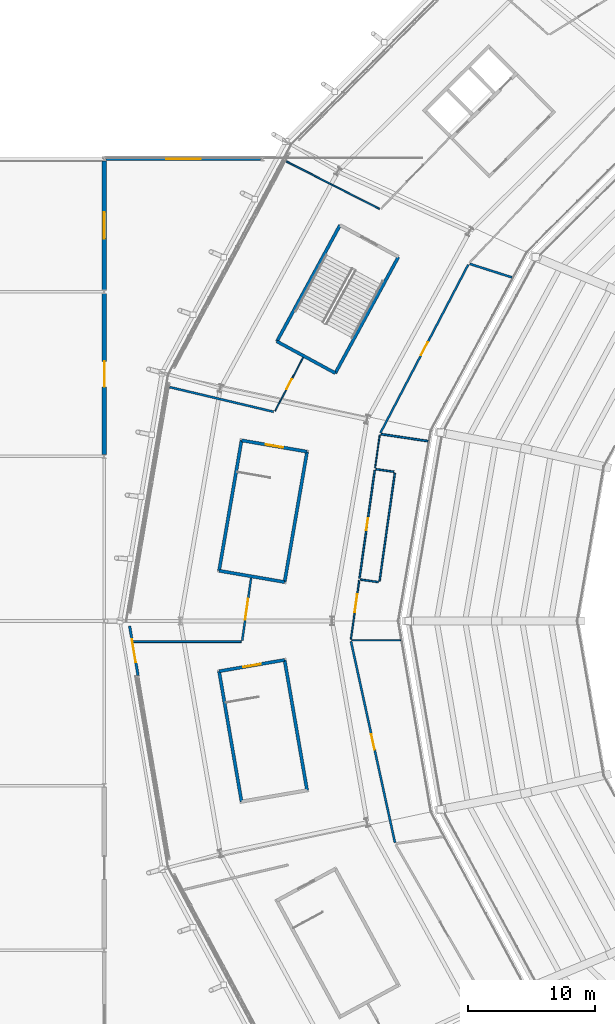
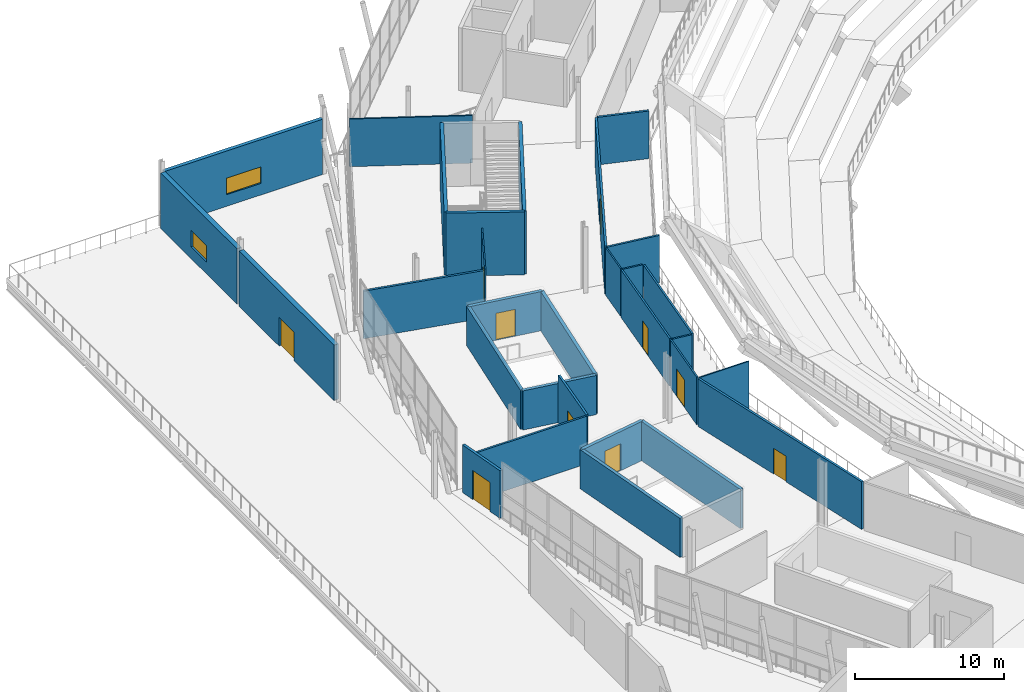
# One storey, part 97 of 126: 30 walls, 10 doors, 2 windows, 12 openings.
"""IFC4 building model written with IfcOpenShell, lengths in metres."""

from ifc_helpers import new_model, si_unit, direction, frame, frame_2d, origin, place, context, subcontext, project, spatial, rectangle, extrude, material, layer, layer_set, type_object, element, fill, save


model = new_model("IFC4")

# Units and contexts
model_context = context("Model", 3, precision=1e-05, world=origin(), true_north=direction((0.0, 1.0)))
body_context = subcontext(model_context, "Body", "Model", "MODEL_VIEW")
ifc_project = project(units=[si_unit("LENGTHUNIT", "METRE"), si_unit("AREAUNIT", "SQUARE_METRE"), si_unit("VOLUMEUNIT", "CUBIC_METRE"), si_unit("PLANEANGLEUNIT", "RADIAN"), si_unit("MASSUNIT", "GRAM", prefix="KILO")], contexts=[model_context])

# Site, building, storey
site_placement = place(None, origin())
site = spatial("IfcSite", under=ifc_project, at=site_placement, CompositionType="ELEMENT")
building_placement = place(site_placement, origin())
building = spatial("IfcBuilding", under=site, at=building_placement, Name="Zlatoyarsky Gate Stadium", CompositionType="ELEMENT")
storey_placement = place(building_placement, frame((0.0, 0.0, 20.800048828125)))
storey = spatial("IfcBuildingStorey", under=building, at=storey_placement, Name="L04", CompositionType="ELEMENT", Elevation=20.800048828125)

# Wall
ifc_material_1 = material(Name="Double-stud acoustic gypsum partition", Category="gypsum")
ifc_layer_1 = layer(ifc_material_1, 0.169921875)
ifc_layer_set_1 = layer_set([ifc_layer_1], Name="Double-stud acoustic gypsum partition")
wall_type_1 = type_object("IfcWallType", Name="ACOUSTIC BROADCAST STUDIO WALL 170", PredefinedType="PARTITIONING", material=ifc_layer_set_1)
wall_1_placement = place(storey_placement, frame((44.200927734375, 107.140869140625, 0.0), z_axis=(0.0, 0.0, 1.0), x_axis=(-0.952519736306, 0.304476849609, 0.0)))
element("IfcWall", 1, at=wall_1_placement, inside=storey, type_object=wall_type_1, Name="L04 interior partition PRT-L04-IRD-10", PredefinedType="PARTITIONING", context=body_context, shape_type="SweptSolid", body=[
    extrude(rectangle(XDim=3.49755859375, YDim=0.169921875, at=frame_2d((1.748779296875, 0.0))), origin(), (0.0, 0.0, 1.0), 3.889892578125),
])

# Wall, opening, door
wall_2_placement = place(storey_placement, frame((31.4833984375, 78.389892578125, 0.0), z_axis=(0.0, 0.0, 1.0), x_axis=(0.213413163149, -0.976962037028, 0.0)))
wall_2 = element("IfcWall", 2, at=wall_2_placement, inside=storey, type_object=wall_type_1, Name="L04 vomitory portal wall PRT-L04-ICC-12", PredefinedType="PARTITIONING", context=body_context, shape_type="SweptSolid", body=[
    extrude(rectangle(XDim=16.270751953125, YDim=0.169921875, at=frame_2d((8.13525390625, 0.0))), origin(), (0.0, 0.0, 1.0), 3.889892578125),
])
opening_1_placement = place(wall_2_placement, frame((7.515380859375, 0.0, 0.0)))
opening_1 = element("IfcOpeningElement", 3, at=opening_1_placement, cuts=wall_2, Name="Opening D-L04-530", PredefinedType="OPENING", context=body_context, shape_type="SweptSolid", body=[
    extrude(rectangle(XDim=1.239990234375, YDim=2.10009765625, at=frame_2d((0.6201171875, 1.050048828125))), frame((0.0, 0.094970703125, 0.0), z_axis=(0.0, -1.0, 0.0), x_axis=(1.0, 0.0, 0.0)), (0.0, 0.0, 1.0), 0.18994140625),
])
ifc_material_2 = material(Name="Powder-coated steel fire door", Category="steel")
door_type_1 = type_object("IfcDoorType", Name="ACOUSTIC INTERIOR DOOR 1240X2100", OperationType="NOTDEFINED", PredefinedType="DOOR", material=ifc_material_2)
door_1_placement = place(opening_1_placement, origin())
door_1 = element("IfcDoor", 4, at=door_1_placement, inside=storey, type_object=door_type_1, Name="L04 vomitory portal door D-L04-530", OperationType="SINGLE_SWING_RIGHT", OverallHeight=2.10009765625, OverallWidth=1.239990234375, PredefinedType="DOOR", context=body_context, shape_type="SweptSolid", body=[
    extrude(rectangle(XDim=1.239990234375, YDim=2.10009765625, at=frame_2d((0.6201171875, 1.050048828125))), frame((0.0, 0.02490234375, 0.0), z_axis=(0.0, -1.0, 0.0), x_axis=(1.0, 0.0, 0.0)), (0.0, 0.0, 1.0), 0.050048828125),
])
fill(opening_1, door_1)

# Wall
wall_3_placement = place(storey_placement, frame((25.367919921875, 96.52783203125, 0.0), z_axis=(0.0, 0.0, 1.0), x_axis=(-0.973029696707, 0.23067988496, 0.0)))
element("IfcWall", 5, at=wall_3_placement, inside=storey, type_object=wall_type_1, Name="L04 interior partition PRT-L04-ORD-10R", PredefinedType="PARTITIONING", context=body_context, shape_type="SweptSolid", body=[
    extrude(rectangle(XDim=8.43408203125, YDim=0.169921875, at=frame_2d((4.217041015625, 0.0))), origin(), (0.0, 0.0, 1.0), 3.889892578125),
])

# Wall, opening, door
ifc_material_3 = material(Name="Anodised aluminium acoustic operable wall", Category="aluminium")
ifc_layer_2 = layer(ifc_material_3, 0.114990234375)
ifc_layer_set_2 = layer_set([ifc_layer_2], Name="Anodised aluminium acoustic operable wall")
wall_type_2 = type_object("IfcWallType", Name="ACOUSTIC OPERABLE SUITE WALL 115", PredefinedType="MOVABLE", material=ifc_layer_set_2)
wall_4_placement = place(storey_placement, frame((32.13232421875, 83.201416015625, 0.0), z_axis=(0.0, 0.0, 1.0), x_axis=(-0.139708620923, -0.990192658648, 0.0)))
wall_4 = element("IfcWall", 6, at=wall_4_placement, inside=storey, type_object=wall_type_2, Name="L04 interior partition PRT-L04-ICC-11", PredefinedType="MOVABLE", context=body_context, shape_type="SweptSolid", body=[
    extrude(rectangle(XDim=4.690185546875, YDim=0.114990234375, at=frame_2d((2.34521484375, 0.0))), origin(), (0.0, 0.0, 1.0), 3.889892578125),
])
opening_2_placement = place(wall_4_placement, frame((1.10009765625, 0.0, 0.0)))
opening_2 = element("IfcOpeningElement", 7, at=opening_2_placement, cuts=wall_4, Name="Opening D-L04-528", PredefinedType="OPENING", context=body_context, shape_type="SweptSolid", body=[
    extrude(rectangle(XDim=1.43994140625, YDim=2.239990234375, at=frame_2d((0.719970703125, 1.1201171875))), frame((0.0, 0.0673828125, 0.0), z_axis=(0.0, -1.0, 0.0), x_axis=(1.0, 0.0, 0.0)), (0.0, 0.0, 1.0), 0.135009765625),
])
ifc_material_4 = material(Name="Solid-core oak veneer acoustic door", Category="wood")
door_type_2 = type_object("IfcDoorType", Name="ACOUSTIC INTERIOR DOOR 1440X2240", OperationType="NOTDEFINED", PredefinedType="DOOR", material=ifc_material_4)
door_2_placement = place(opening_2_placement, origin())
door_2 = element("IfcDoor", 8, at=door_2_placement, inside=storey, type_object=door_type_2, Name="L04 room door D-L04-528", OperationType="SINGLE_SWING_LEFT", OverallHeight=2.239990234375, OverallWidth=1.43994140625, PredefinedType="DOOR", context=body_context, shape_type="SweptSolid", body=[
    extrude(rectangle(XDim=1.43994140625, YDim=2.239990234375, at=frame_2d((0.719970703125, 1.1201171875))), frame((0.0, 0.02490234375, 0.0), z_axis=(0.0, -1.0, 0.0), x_axis=(1.0, 0.0, 0.0)), (0.0, 0.0, 1.0), 0.050048828125),
])
fill(opening_2, door_2)

# Wall
wall_5_placement = place(storey_placement, frame((33.72314453125, 112.552490234375, 0.0), z_axis=(0.0, 0.0, 1.0), x_axis=(-0.890584358939, 0.454818095081, 0.0)))
element("IfcWall", 9, at=wall_5_placement, inside=storey, type_object=wall_type_2, Name="L04 interior partition PRT-L04-ORD-09R", PredefinedType="MOVABLE", context=body_context, shape_type="SweptSolid", body=[
    extrude(rectangle(XDim=8.252685546875, YDim=0.114990234375, at=frame_2d((4.12646484375, 0.0))), origin(), (0.0, 0.0, 1.0), 3.889892578125),
])

# Wall, opening, door
ifc_material_5 = material(Name="Gypsum-clad mineral wool fire partition", Category="gypsum")
ifc_layer_3 = layer(ifc_material_5, 0.199951171875)
ifc_layer_set_3 = layer_set([ifc_layer_3], Name="Gypsum-clad mineral wool fire partition")
wall_type_3 = type_object("IfcWallType", Name="COMPARTMENT FIRE PARTITION WALL 200", PredefinedType="PARTITIONING", material=ifc_layer_set_3)
wall_6_placement = place(storey_placement, frame((13.998291015625, 79.6005859375, 0.0), z_axis=(0.0, 0.0, 1.0), x_axis=(0.167827395589, -0.985816395324, 0.0)))
wall_6 = element("IfcWall", 10, at=wall_6_placement, inside=storey, type_object=wall_type_3, Name="L04 interior partition PRT-PORTAL-L04-12", PredefinedType="PARTITIONING", context=body_context, shape_type="SweptSolid", body=[
    extrude(rectangle(XDim=3.959716796875, YDim=0.199951171875, at=frame_2d((1.97998046875, 0.0))), origin(), (0.0, 0.0, 1.0), 3.889892578125),
])
opening_3_placement = place(wall_6_placement, frame((1.070068359375, 0.0, 0.0)))
opening_3 = element("IfcOpeningElement", 11, at=opening_3_placement, cuts=wall_6, Name="Opening D-L04-720", PredefinedType="OPENING", context=body_context, shape_type="SweptSolid", body=[
    extrude(rectangle(XDim=1.820068359375, YDim=2.3798828125, at=frame_2d((0.91015625, 1.18994140625))), frame((0.0, 0.10986328125, 0.0), z_axis=(0.0, -1.0, 0.0), x_axis=(1.0, 0.0, 0.0)), (0.0, 0.0, 1.0), 0.219970703125),
])
door_type_3 = type_object("IfcDoorType", Name="ACOUSTIC INTERIOR DOOR 1820X2380", OperationType="NOTDEFINED", PredefinedType="DOOR", material=ifc_material_2)
door_3_placement = place(opening_3_placement, origin())
door_3 = element("IfcDoor", 12, at=door_3_placement, inside=storey, type_object=door_type_3, Name="L04 room door D-L04-720", OperationType="SINGLE_SWING_RIGHT", OverallHeight=2.3798828125, OverallWidth=1.820068359375, PredefinedType="DOOR", context=body_context, shape_type="SweptSolid", body=[
    extrude(rectangle(XDim=1.820068359375, YDim=2.3798828125, at=frame_2d((0.91015625, 1.18994140625))), frame((0.0, 0.02490234375, 0.0), z_axis=(0.0, -1.0, 0.0), x_axis=(1.0, 0.0, 0.0)), (0.0, 0.0, 1.0), 0.050048828125),
])
fill(opening_3, door_3)

# Walls
ifc_material_6 = material(Name="Metal-stud gypsum partition", Category="gypsum")
ifc_layer_4 = layer(ifc_material_6, 0.14990234375)
ifc_layer_set_4 = layer_set([ifc_layer_4], Name="Metal-stud gypsum partition")
wall_type_4 = type_object("IfcWallType", Name="CONCOURSE CORRIDOR PARTITION 150", PredefinedType="PARTITIONING", material=ifc_layer_set_4)
wall_7_placement = place(storey_placement, frame((37.566162109375, 94.209228515625, 0.0), z_axis=(0.0, 0.0, 1.0), x_axis=(-0.989218109101, 0.146449761439, 0.0)))
element("IfcWall", 13, at=wall_7_placement, inside=storey, type_object=wall_type_4, Name="L04 interior partition PRT-L04-IRD-11", PredefinedType="PARTITIONING", context=body_context, shape_type="SweptSolid", body=[
    extrude(rectangle(XDim=3.757568359375, YDim=0.14990234375, at=frame_2d((1.87890625, 0.0))), origin(), (0.0, 0.0, 1.0), 3.889892578125),
])
wall_8_placement = place(storey_placement, frame((22.7958984375, 78.3740234375, 0.0), z_axis=(0.0, 0.0, 1.0), x_axis=(-0.999999996291, -8.6130171e-05, 0.0)))
element("IfcWall", 14, at=wall_8_placement, inside=storey, type_object=wall_type_4, Name="L04 interior partition PRT-L04-ORD-11R", PredefinedType="PARTITIONING", context=body_context, shape_type="SweptSolid", body=[
    extrude(rectangle(XDim=8.503662109375, YDim=0.14990234375, at=frame_2d((4.251953125, 0.0))), origin(), (0.0, 0.0, 1.0), 3.889892578125),
])
ifc_material_7 = material(Name="Concrete C40/50", Category="concrete")
ifc_layer_5 = layer(ifc_material_7, 0.25)
ifc_layer_set_5 = layer_set([ifc_layer_5], Name="Concrete C40/50")
wall_type_5 = type_object("IfcWallType", Name="CONCRETE STAIR CORE SHEAR WALL 250", PredefinedType="SHEAR", material=ifc_layer_set_5)
wall_9_placement = place(storey_placement, frame((30.615234375, 111.268798828125, 0.0), z_axis=(0.0, 0.0, 1.0), x_axis=(-0.476876856974, -0.878970115125, 0.0)))
element("IfcWall", 15, at=wall_9_placement, inside=storey, type_object=wall_type_5, Name="ST-06 L04 stair core left shear wall", PredefinedType="SHEAR", context=body_context, shape_type="SweptSolid", body=[
    extrude(rectangle(XDim=10.4501953125, YDim=0.25, at=frame_2d((5.22509765625, 0.0))), origin(), (0.0, 0.0, 1.0), 5.139892578125),
])
wall_10_placement = place(storey_placement, frame((25.6318359375, 102.08349609375, 0.0), z_axis=(0.0, 0.0, 1.0), x_axis=(0.878961487093, -0.47689275965, 0.0)))
element("IfcWall", 16, at=wall_10_placement, inside=storey, type_object=wall_type_5, Name="ST-06 L04 stair core far shear wall", PredefinedType="SHEAR", context=body_context, shape_type="SweptSolid", body=[
    extrude(rectangle(XDim=5.25, YDim=0.25, at=frame_2d((2.625, 0.0))), origin(), (0.0, 0.0, 1.0), 5.139892578125),
])
wall_11_placement = place(storey_placement, frame((30.246337890625, 99.579833984375, 0.0), z_axis=(0.0, 0.0, 1.0), x_axis=(0.476886649814, 0.878964802042, 0.0)))
element("IfcWall", 17, at=wall_11_placement, inside=storey, type_object=wall_type_5, Name="ST-06 L04 stair core right shear wall", PredefinedType="SHEAR", context=body_context, shape_type="SweptSolid", body=[
    extrude(rectangle(XDim=10.449951171875, YDim=0.25, at=frame_2d((5.22509765625, 0.0))), origin(), (0.0, 0.0, 1.0), 5.139892578125),
])

# Wall, opening, door
wall_12_placement = place(storey_placement, frame((26.237548828125, 76.92333984375, 0.0), z_axis=(0.0, 0.0, 1.0), x_axis=(-0.985457162135, -0.16992404655, 0.0)))
wall_12 = element("IfcWall", 18, at=wall_12_placement, inside=storey, type_object=wall_type_5, Name="ST-07 L04 stair core entrance shear wall", PredefinedType="SHEAR", context=body_context, shape_type="SweptSolid", body=[
    extrude(rectangle(XDim=5.25, YDim=0.25, at=frame_2d((2.625, 0.0))), origin(), (0.0, 0.0, 1.0), 3.199951171875),
])
opening_4_placement = place(wall_12_placement, frame((1.925048828125, 0.0, 0.0)))
opening_4 = element("IfcOpeningElement", 19, at=opening_4_placement, cuts=wall_12, Name="Opening SD-ST-07-L04", PredefinedType="OPENING", context=body_context, shape_type="SweptSolid", body=[
    extrude(rectangle(XDim=1.39990234375, YDim=2.199951171875, at=frame_2d((0.699951171875, 1.10009765625))), frame((0.0, 0.135009765625, 0.0), z_axis=(0.0, -1.0, 0.0), x_axis=(1.0, 0.0, 0.0)), (0.0, 0.0, 1.0), 0.27001953125),
])
door_type_4 = type_object("IfcDoorType", Name="STAIR CORE FIRE EXIT DOOR 1400X2200", OperationType="NOTDEFINED", PredefinedType="DOOR", material=ifc_material_2)
door_4_placement = place(opening_4_placement, frame((1.39990234375, 0.0, 0.0), z_axis=(0.0, 0.0, 1.0), x_axis=(-1.0, 0.0, 0.0)))
door_4 = element("IfcDoor", 20, at=door_4_placement, inside=storey, type_object=door_type_4, Name="ST-07 L04 stair fire door", OperationType="SINGLE_SWING_RIGHT", OverallHeight=2.199951171875, OverallWidth=1.39990234375, PredefinedType="DOOR", context=body_context, shape_type="SweptSolid", body=[
    extrude(rectangle(XDim=1.39990234375, YDim=2.199951171875, at=frame_2d((0.699951171875, 1.10009765625))), frame((0.0, 0.02490234375, 0.0), z_axis=(0.0, -1.0, 0.0), x_axis=(1.0, 0.0, 0.0)), (0.0, 0.0, 1.0), 0.050048828125),
])
fill(opening_4, door_4)

# Walls
for number, where, z_axis, x_axis, name in (
    (21, (21.06396484375, 76.03125, 0.0), (0.0, 0.0, 1.0), (0.169938992676, -0.985454584833, 0.0), "ST-07 L04 stair core left shear wall"),
    (22, (28.013427734375, 66.625244140625, 0.0), (0.0, 0.0, 1.0), (-0.169938992676, 0.985454584833, 0.0), "ST-07 L04 stair core right shear wall"),
):
    element("IfcWall", number, at=place(storey_placement, frame(where, z_axis=z_axis, x_axis=x_axis)), inside=storey, type_object=wall_type_5, Name=name, PredefinedType="SHEAR", context=body_context, shape_type="SweptSolid", body=[
        extrude(rectangle(XDim=10.4501953125, YDim=0.25, at=frame_2d((5.22509765625, 0.0))), origin(), (0.0, 0.0, 1.0), 3.199951171875),
    ])

# Wall, opening, door
wall_13_placement = place(storey_placement, frame((28.01318359375, 93.374755859375, 0.0), z_axis=(0.0, 0.0, 1.0), x_axis=(-0.985457162135, 0.16992404655, 0.0)))
wall_13 = element("IfcWall", 23, at=wall_13_placement, inside=storey, type_object=wall_type_5, Name="ST-18 L04 stair core entrance shear wall", PredefinedType="SHEAR", context=body_context, shape_type="SweptSolid", body=[
    extrude(rectangle(XDim=5.25, YDim=0.25, at=frame_2d((2.625, 0.0))), origin(), (0.0, 0.0, 1.0), 3.199951171875),
])
opening_5_placement = place(wall_13_placement, frame((1.925048828125, 0.0, 0.0)))
opening_5 = element("IfcOpeningElement", 24, at=opening_5_placement, cuts=wall_13, Name="Opening SD-ST-18-L04", PredefinedType="OPENING", context=body_context, shape_type="SweptSolid", body=[
    extrude(rectangle(XDim=1.39990234375, YDim=2.199951171875, at=frame_2d((0.699951171875, 1.10009765625))), frame((0.0, 0.135009765625, 0.0), z_axis=(0.0, -1.0, 0.0), x_axis=(1.0, 0.0, 0.0)), (0.0, 0.0, 1.0), 0.27001953125),
])
door_5_placement = place(opening_5_placement, frame((1.39990234375, 0.0, 0.0), z_axis=(0.0, 0.0, 1.0), x_axis=(-1.0, 0.0, 0.0)))
door_5 = element("IfcDoor", 25, at=door_5_placement, inside=storey, type_object=door_type_4, Name="ST-18 L04 stair fire door", OperationType="SINGLE_SWING_RIGHT", OverallHeight=2.199951171875, OverallWidth=1.39990234375, PredefinedType="DOOR", context=body_context, shape_type="SweptSolid", body=[
    extrude(rectangle(XDim=1.39990234375, YDim=2.199951171875, at=frame_2d((0.699951171875, 1.10009765625))), frame((0.0, 0.02490234375, 0.0), z_axis=(0.0, -1.0, 0.0), x_axis=(1.0, 0.0, 0.0)), (0.0, 0.0, 1.0), 0.050048828125),
])
fill(opening_5, door_5)

# Walls
wall_14_placement = place(storey_placement, frame((22.839599609375, 94.266845703125, 0.0), z_axis=(0.0, 0.0, 1.0), x_axis=(-0.169938992676, -0.985454584833, 0.0)))
element("IfcWall", 26, at=wall_14_placement, inside=storey, type_object=wall_type_5, Name="ST-18 L04 stair core left shear wall", PredefinedType="SHEAR", context=body_context, shape_type="SweptSolid", body=[
    extrude(rectangle(XDim=10.4501953125, YDim=0.25, at=frame_2d((5.22509765625, 0.0))), origin(), (0.0, 0.0, 1.0), 3.199951171875),
])
wall_15_placement = place(storey_placement, frame((21.063720703125, 83.96875, 0.0), z_axis=(0.0, 0.0, 1.0), x_axis=(0.985458504796, -0.169916259745, 0.0)))
element("IfcWall", 27, at=wall_15_placement, inside=storey, type_object=wall_type_5, Name="ST-18 L04 stair core far shear wall", PredefinedType="SHEAR", context=body_context, shape_type="SweptSolid", body=[
    extrude(rectangle(XDim=5.250244140625, YDim=0.25, at=frame_2d((2.625, 0.0))), origin(), (0.0, 0.0, 1.0), 3.199951171875),
])
wall_16_placement = place(storey_placement, frame((26.237548828125, 83.07666015625, 0.0), z_axis=(0.0, 0.0, 1.0), x_axis=(0.16991630471, 0.985458497043, 0.0)))
element("IfcWall", 28, at=wall_16_placement, inside=storey, type_object=wall_type_5, Name="ST-18 L04 stair core right shear wall", PredefinedType="SHEAR", context=body_context, shape_type="SweptSolid", body=[
    extrude(rectangle(XDim=10.449951171875, YDim=0.25, at=frame_2d((5.22509765625, 0.0))), origin(), (0.0, 0.0, 1.0), 3.199951171875),
])
ifc_material_8 = material(Name="Timber-veneered acoustic operable partition", Category="wood")
ifc_layer_6 = layer(ifc_material_8, 0.094970703125)
ifc_layer_set_6 = layer_set([ifc_layer_6], Name="Timber-veneered acoustic operable partition")
wall_type_6 = type_object("IfcWallType", Name="FOLDING BANQUET SALON WALL 95", PredefinedType="MOVABLE", material=ifc_layer_set_6)
wall_17_placement = place(storey_placement, frame((35.396484375, 78.47216796875, 0.0), z_axis=(0.0, 0.0, 1.0), x_axis=(-0.999999981869, 0.000190427824, 0.0)))
element("IfcWall", 29, at=wall_17_placement, inside=storey, type_object=wall_type_6, Name="L04 interior partition PRT-L04-IRD-12", PredefinedType="MOVABLE", context=body_context, shape_type="SweptSolid", body=[
    extrude(rectangle(XDim=3.84619140625, YDim=0.094970703125, at=frame_2d((1.923095703125, 0.0))), origin(), (0.0, 0.0, 1.0), 3.889892578125),
])

# Wall, opening, door
wall_18_placement = place(storey_placement, frame((27.697021484375, 100.815185546875, 0.0), z_axis=(0.0, 0.0, 1.0), x_axis=(-0.462454112577, -0.886643216723, 0.0)))
wall_18 = element("IfcWall", 30, at=wall_18_placement, inside=storey, type_object=wall_type_6, Name="L04 interior partition PRT-L04-OCC-10-1", PredefinedType="MOVABLE", context=body_context, shape_type="SweptSolid", body=[
    extrude(rectangle(XDim=4.7724609375, YDim=0.094970703125, at=frame_2d((2.38623046875, 0.0))), origin(), (0.0, 0.0, 1.0), 3.889892578125),
])
opening_6_placement = place(wall_18_placement, frame((1.936279296875, 0.0, 0.0)))
opening_6 = element("IfcOpeningElement", 31, at=opening_6_placement, cuts=wall_18, Name="Opening D-L04-579", PredefinedType="OPENING", context=body_context, shape_type="SweptSolid", body=[
    extrude(rectangle(XDim=0.89990234375, YDim=2.10009765625, at=frame_2d((0.449951171875, 1.050048828125))), frame((0.0, 0.057373046875, 0.0), z_axis=(0.0, -1.0, 0.0), x_axis=(1.0, 0.0, 0.0)), (0.0, 0.0, 1.0), 0.114990234375),
])
door_type_5 = type_object("IfcDoorType", Name="ACOUSTIC INTERIOR DOOR 900X2100", OperationType="NOTDEFINED", PredefinedType="DOOR", material=ifc_material_4)
door_6_placement = place(opening_6_placement, origin())
door_6 = element("IfcDoor", 32, at=door_6_placement, inside=storey, type_object=door_type_5, Name="L04 room door D-L04-579", OperationType="SINGLE_SWING_LEFT", OverallHeight=2.10009765625, OverallWidth=0.89990234375, PredefinedType="DOOR", context=body_context, shape_type="SweptSolid", body=[
    extrude(rectangle(XDim=0.89990234375, YDim=2.10009765625, at=frame_2d((0.449951171875, 1.050048828125))), frame((0.0, 0.02490234375, 0.0), z_axis=(0.0, -1.0, 0.0), x_axis=(1.0, 0.0, 0.0)), (0.0, 0.0, 1.0), 0.050048828125),
])
fill(opening_6, door_6)

ifc_material_9 = material(Name="Acoustic metal-stud gypsum partition", Category="gypsum")
ifc_layer_7 = layer(ifc_material_9, 0.159912109375)
ifc_layer_set_7 = layer_set([ifc_layer_7], Name="Acoustic metal-stud gypsum partition")
wall_type_7 = type_object("IfcWallType", Name="HOSPITALITY SUITE PARTITION 160", PredefinedType="PARTITIONING", material=ifc_layer_set_7)
wall_19_placement = place(storey_placement, frame((40.7490234375, 108.15625, 0.0), z_axis=(0.0, 0.0, 1.0), x_axis=(-0.462609914654, -0.886561936282, 0.0)))
wall_19 = element("IfcWall", 33, at=wall_19_placement, inside=storey, type_object=wall_type_7, Name="L04 vomitory portal wall PRT-L04-ICC-10", PredefinedType="PARTITIONING", context=body_context, shape_type="SweptSolid", body=[
    extrude(rectangle(XDim=15.01171875, YDim=0.159912109375, at=frame_2d((7.505859375, 0.0))), origin(), (0.0, 0.0, 1.0), 3.889892578125),
])
opening_7_placement = place(wall_19_placement, frame((6.92578125, 0.0, 0.0)))
opening_7 = element("IfcOpeningElement", 34, at=opening_7_placement, cuts=wall_19, Name="Opening D-L04-521", PredefinedType="OPENING", context=body_context, shape_type="SweptSolid", body=[
    extrude(rectangle(XDim=1.159912109375, YDim=2.3798828125, at=frame_2d((0.580078125, 1.18994140625))), frame((0.0, 0.08984375, 0.0), z_axis=(0.0, -1.0, 0.0), x_axis=(1.0, 0.0, 0.0)), (0.0, 0.0, 1.0), 0.179931640625),
])
door_type_6 = type_object("IfcDoorType", Name="ACOUSTIC INTERIOR DOOR 1160X2380", OperationType="NOTDEFINED", PredefinedType="DOOR", material=ifc_material_2)
door_7_placement = place(opening_7_placement, origin())
door_7 = element("IfcDoor", 35, at=door_7_placement, inside=storey, type_object=door_type_6, Name="L04 vomitory portal door D-L04-521", OperationType="SINGLE_SWING_LEFT", OverallHeight=2.3798828125, OverallWidth=1.159912109375, PredefinedType="DOOR", context=body_context, shape_type="SweptSolid", body=[
    extrude(rectangle(XDim=1.159912109375, YDim=2.3798828125, at=frame_2d((0.580078125, 1.18994140625))), frame((0.0, 0.02490234375, 0.0), z_axis=(0.0, -1.0, 0.0), x_axis=(1.0, 0.0, 0.0)), (0.0, 0.0, 1.0), 0.050048828125),
])
fill(opening_7, door_7)

wall_20_placement = place(storey_placement, frame((23.59326171875, 83.400634765625, 0.0), z_axis=(0.0, 0.0, 1.0), x_axis=(-0.140366813121, -0.990099569626, 0.0)))
wall_20 = element("IfcWall", 36, at=wall_20_placement, inside=storey, type_object=wall_type_7, Name="L04 interior partition PRT-L04-OCC-11-1", PredefinedType="PARTITIONING", context=body_context, shape_type="SweptSolid", body=[
    extrude(rectangle(XDim=4.99169921875, YDim=0.159912109375, at=frame_2d((2.495849609375, 0.0))), origin(), (0.0, 0.0, 1.0), 3.889892578125),
])
opening_8_placement = place(wall_20_placement, frame((1.656005859375, 0.0, 0.0)))
opening_8 = element("IfcOpeningElement", 37, at=opening_8_placement, cuts=wall_20, Name="Opening D-L04-581", PredefinedType="OPENING", context=body_context, shape_type="SweptSolid", body=[
    extrude(rectangle(XDim=1.679931640625, YDim=2.10009765625, at=frame_2d((0.83984375, 1.050048828125))), frame((0.0, 0.08984375, 0.0), z_axis=(0.0, -1.0, 0.0), x_axis=(1.0, 0.0, 0.0)), (0.0, 0.0, 1.0), 0.179931640625),
])
door_type_7 = type_object("IfcDoorType", Name="ACOUSTIC INTERIOR DOOR 1680X2100", OperationType="NOTDEFINED", PredefinedType="DOOR", material=ifc_material_2)
door_8_placement = place(opening_8_placement, origin())
door_8 = element("IfcDoor", 38, at=door_8_placement, inside=storey, type_object=door_type_7, Name="L04 room door D-L04-581", OperationType="SINGLE_SWING_RIGHT", OverallHeight=2.10009765625, OverallWidth=1.679931640625, PredefinedType="DOOR", context=body_context, shape_type="SweptSolid", body=[
    extrude(rectangle(XDim=1.679931640625, YDim=2.10009765625, at=frame_2d((0.83984375, 1.050048828125))), frame((0.0, 0.02490234375, 0.0), z_axis=(0.0, -1.0, 0.0), x_axis=(1.0, 0.0, 0.0)), (0.0, 0.0, 1.0), 0.050048828125),
])
fill(opening_8, door_8)

# Wall, opening, window
ifc_material_10 = material(Name="Precast concrete C40/50 architectural panel", Category="concrete")
ifc_layer_8 = layer(ifc_material_10, 0.280029296875)
ifc_layer_set_8 = layer_set([ifc_layer_8], Name="Precast concrete C40/50 architectural panel")
wall_type_8 = type_object("IfcWallType", Name="INSULATED WING SPANDREL WALL 280", PredefinedType="STANDARD", material=ifc_layer_set_8)
wall_21_placement = place(storey_placement, frame((12.14697265625, 116.5, 0.0), z_axis=(0.0, 0.0, 1.0), x_axis=(1.0, 0.0, 0.0)))
wall_21 = element("IfcWall", 39, at=wall_21_placement, inside=storey, type_object=wall_type_8, Name="V4_WEST L04 N exterior wall", PredefinedType="STANDARD", context=body_context, shape_type="SweptSolid", body=[
    extrude(rectangle(XDim=12.2060546875, YDim=0.280029296875, at=frame_2d((6.10302734375, 0.0))), origin(), (0.0, 0.0, 1.0), 4.52001953125),
])
opening_9_placement = place(wall_21_placement, frame((4.7529296875, 0.0, 0.949951171875)))
opening_9 = element("IfcOpeningElement", 40, at=opening_9_placement, cuts=wall_21, Name="Opening WN-21", PredefinedType="OPENING", context=body_context, shape_type="SweptSolid", body=[
    extrude(rectangle(XDim=2.699951171875, YDim=1.35009765625, at=frame_2d((1.35009765625, 0.675048828125))), frame((0.0, 0.14990234375, 0.0), z_axis=(0.0, -1.0, 0.0), x_axis=(1.0, 0.0, 0.0)), (0.0, 0.0, 1.0), 0.300048828125),
])
ifc_material_11 = material(Name="Triple-glazed thermally broken aluminium window", Category="aluminium")
window_type_1 = type_object("IfcWindowType", Name="TRIPLE GLAZED ALUMINIUM WINDOW 2700X1350", PartitioningType="SINGLE_PANEL", PredefinedType="WINDOW", material=ifc_material_11)
window_1_placement = place(opening_9_placement, origin())
window_1 = element("IfcWindow", 41, at=window_1_placement, inside=storey, type_object=window_type_1, Name="Exterior window WIN-L04-049", OverallHeight=1.35009765625, OverallWidth=2.699951171875, PartitioningType="SINGLE_PANEL", PredefinedType="WINDOW", context=body_context, shape_type="SweptSolid", body=[
    extrude(rectangle(XDim=2.699951171875, YDim=1.35009765625, at=frame_2d((1.35009765625, 0.675048828125))), frame((0.0, 0.030029296875, 0.0), z_axis=(0.0, -1.0, 0.0), x_axis=(1.0, 0.0, 0.0)), (0.0, 0.0, 1.0), 0.06005859375),
])
fill(opening_9, window_1)

# Wall
ifc_layer_9 = layer(ifc_material_6, 0.10009765625)
ifc_layer_set_9 = layer_set([ifc_layer_9], Name="Metal-stud gypsum partition")
wall_type_9 = type_object("IfcWallType", Name="LIGHT STORAGE PARTITION 100", PredefinedType="PARTITIONING", material=ifc_layer_set_9)
wall_22_placement = place(storey_placement, frame((33.753173828125, 94.687744140625, 0.0), z_axis=(0.0, 0.0, 1.0), x_axis=(-0.139705688014, -0.990193072454, 0.0)))
element("IfcWall", 42, at=wall_22_placement, inside=storey, type_object=wall_type_9, Name="L04 interior partition PRT-L04-WCL-11", PredefinedType="PARTITIONING", context=body_context, shape_type="SweptSolid", body=[
    extrude(rectangle(XDim=2.630126953125, YDim=0.10009765625, at=frame_2d((1.31494140625, 0.0))), origin(), (0.0, 0.0, 1.0), 3.889892578125),
])

# Wall, opening, door
ifc_material_12 = material(Name="Limestone-faced insulated masonry wall", Category="masonry")
ifc_layer_10 = layer(ifc_material_12, 0.360107421875)
ifc_layer_set_10 = layer_set([ifc_layer_10], Name="Limestone-faced insulated masonry wall")
wall_type_10 = type_object("IfcWallType", Name="LIMESTONE CLAD CAVITY WALL 360", PredefinedType="STANDARD", material=ifc_layer_set_10)
wall_23_placement = place(storey_placement, frame((12.0, 93.14697265625, 0.0), z_axis=(0.0, 0.0, 1.0), x_axis=(0.0, 1.0, 0.0)))
wall_23 = element("IfcWall", 43, at=wall_23_placement, inside=storey, type_object=wall_type_10, Name="V4_WEST L04 W_HI exterior wall", PredefinedType="STANDARD", context=body_context, shape_type="SweptSolid", body=[
    extrude(rectangle(XDim=12.7060546875, YDim=0.360107421875, at=frame_2d((6.35302734375, 0.0))), origin(), (0.0, 0.0, 1.0), 4.52001953125),
])
opening_10_placement = place(wall_23_placement, frame((5.35302734375, 0.0, 0.0)))
opening_10 = element("IfcOpeningElement", 44, at=opening_10_placement, cuts=wall_23, Name="Opening TD-02", PredefinedType="OPENING", context=body_context, shape_type="SweptSolid", body=[
    extrude(rectangle(XDim=2.0, YDim=2.35009765625, at=frame_2d((1.0, 1.175048828125))), frame((0.0, 0.18994140625, 0.0), z_axis=(0.0, -1.0, 0.0), x_axis=(1.0, 0.0, 0.0)), (0.0, 0.0, 1.0), 0.380126953125),
])
ifc_material_13 = material(Name="Thermally broken powder-coated steel and laminated safety glass", Category="steel")
door_type_8 = type_object("IfcDoorType", Name="GLAZED TERRACE PROMENADE DOOR 2000X2350", OperationType="DOUBLE_DOOR_SINGLE_SWING", PredefinedType="DOOR", material=ifc_material_13)
door_9_placement = place(opening_10_placement, origin())
door_9 = element("IfcDoor", 45, at=door_9_placement, inside=storey, type_object=door_type_8, Name="Exterior door TD-02", OperationType="DOUBLE_DOOR_SINGLE_SWING", OverallHeight=2.35009765625, OverallWidth=2.0, PredefinedType="DOOR", context=body_context, shape_type="SweptSolid", body=[
    extrude(rectangle(XDim=2.0, YDim=2.35009765625, at=frame_2d((1.0, 1.175048828125))), frame((0.0, 0.02490234375, 0.0), z_axis=(0.0, -1.0, 0.0), x_axis=(1.0, 0.0, 0.0)), (0.0, 0.0, 1.0), 0.050048828125),
])
fill(opening_10, door_9)

# Wall, opening, window
wall_24_placement = place(storey_placement, frame((12.0, 106.14697265625, 0.0), z_axis=(0.0, 0.0, 1.0), x_axis=(0.0, 1.0, 0.0)))
wall_24 = element("IfcWall", 46, at=wall_24_placement, inside=storey, type_object=wall_type_10, Name="V4_WEST L04 W_HI exterior wall", PredefinedType="STANDARD", context=body_context, shape_type="SweptSolid", body=[
    extrude(rectangle(XDim=10.2060546875, YDim=0.360107421875, at=frame_2d((5.10302734375, 0.0))), origin(), (0.0, 0.0, 1.0), 4.52001953125),
])
opening_11_placement = place(wall_24_placement, frame((4.052978515625, 0.0, 0.949951171875)))
opening_11 = element("IfcOpeningElement", 47, at=opening_11_placement, cuts=wall_24, Name="Opening WN-13", PredefinedType="OPENING", context=body_context, shape_type="SweptSolid", body=[
    extrude(rectangle(XDim=2.10009765625, YDim=1.35009765625, at=frame_2d((1.050048828125, 0.675048828125))), frame((0.0, 0.18994140625, 0.0), z_axis=(0.0, -1.0, 0.0), x_axis=(1.0, 0.0, 0.0)), (0.0, 0.0, 1.0), 0.380126953125),
])
window_type_2 = type_object("IfcWindowType", Name="TRIPLE GLAZED ALUMINIUM WINDOW 2100X1350", PartitioningType="SINGLE_PANEL", PredefinedType="WINDOW", material=ifc_material_11)
window_2_placement = place(opening_11_placement, origin())
window_2 = element("IfcWindow", 48, at=window_2_placement, inside=storey, type_object=window_type_2, Name="Exterior window WIN-L04-041", OverallHeight=1.35009765625, OverallWidth=2.10009765625, PartitioningType="SINGLE_PANEL", PredefinedType="WINDOW", context=body_context, shape_type="SweptSolid", body=[
    extrude(rectangle(XDim=2.10009765625, YDim=1.35009765625, at=frame_2d((1.050048828125, 0.675048828125))), frame((0.0, 0.030029296875, 0.0), z_axis=(0.0, -1.0, 0.0), x_axis=(1.0, 0.0, 0.0)), (0.0, 0.0, 1.0), 0.06005859375),
])
fill(opening_11, window_2)

# Wall, opening, door
ifc_material_14 = material(Name="Moisture-resistant tile-backed partition", Category="gypsum")
ifc_layer_11 = layer(ifc_material_14, 0.1298828125)
ifc_layer_set_11 = layer_set([ifc_layer_11], Name="Moisture-resistant tile-backed partition")
wall_type_11 = type_object("IfcWallType", Name="SANITARY WET ROOM PARTITION 130", PredefinedType="PARTITIONING", material=ifc_layer_set_11)
wall_25_placement = place(storey_placement, frame((33.362060546875, 91.915283203125, 0.0), z_axis=(0.0, 0.0, 1.0), x_axis=(-0.139722077687, -0.990190759908, 0.0)))
wall_25 = element("IfcWall", 49, at=wall_25_placement, inside=storey, type_object=wall_type_11, Name="L04 interior partition PRT-L04-WC11-F", PredefinedType="PARTITIONING", context=body_context, shape_type="SweptSolid", body=[
    extrude(rectangle(XDim=8.630126953125, YDim=0.1298828125, at=frame_2d((4.31494140625, 0.0))), origin(), (0.0, 0.0, 1.0), 3.889892578125),
])
opening_12_placement = place(wall_25_placement, frame((3.8349609375, 0.0, 0.0)))
opening_12 = element("IfcOpeningElement", 50, at=opening_12_placement, cuts=wall_25, Name="Opening D-L04-523", PredefinedType="OPENING", context=body_context, shape_type="SweptSolid", body=[
    extrude(rectangle(XDim=0.9599609375, YDim=2.239990234375, at=frame_2d((0.47998046875, 1.1201171875))), frame((0.0, 0.074951171875, 0.0), z_axis=(0.0, -1.0, 0.0), x_axis=(1.0, 0.0, 0.0)), (0.0, 0.0, 1.0), 0.14990234375),
])
door_type_9 = type_object("IfcDoorType", Name="ACOUSTIC INTERIOR DOOR 960X2240", OperationType="NOTDEFINED", PredefinedType="DOOR", material=ifc_material_4)
door_10_placement = place(opening_12_placement, origin())
door_10 = element("IfcDoor", 51, at=door_10_placement, inside=storey, type_object=door_type_9, Name="L04 room door D-L04-523", OperationType="SINGLE_SWING_RIGHT", OverallHeight=2.239990234375, OverallWidth=0.9599609375, PredefinedType="DOOR", context=body_context, shape_type="SweptSolid", body=[
    extrude(rectangle(XDim=0.9599609375, YDim=2.239990234375, at=frame_2d((0.47998046875, 1.1201171875))), frame((0.0, 0.02490234375, 0.0), z_axis=(0.0, -1.0, 0.0), x_axis=(1.0, 0.0, 0.0)), (0.0, 0.0, 1.0), 0.050048828125),
])
fill(opening_12, door_10)

# Walls
wall_26_placement = place(storey_placement, frame((34.9462890625, 91.691650390625, 0.0), z_axis=(0.0, 0.0, 1.0), x_axis=(-0.139722077687, -0.990190759908, 0.0)))
element("IfcWall", 52, at=wall_26_placement, inside=storey, type_object=wall_type_11, Name="L04 interior partition PRT-L04-WC11-B", PredefinedType="PARTITIONING", context=body_context, shape_type="SweptSolid", body=[
    extrude(rectangle(XDim=8.630126953125, YDim=0.1298828125, at=frame_2d((4.31494140625, 0.0))), origin(), (0.0, 0.0, 1.0), 3.889892578125),
])
wall_27_placement = place(storey_placement, frame((33.4580078125, 91.987548828125, 0.0), z_axis=(0.0, 0.0, 1.0), x_axis=(0.990176963496, -0.139819816052, 0.0)))
element("IfcWall", 53, at=wall_27_placement, inside=storey, type_object=wall_type_11, Name="L04 interior partition PRT-L04-WC11-L", PredefinedType="PARTITIONING", context=body_context, shape_type="SweptSolid", body=[
    extrude(rectangle(XDim=1.43017578125, YDim=0.1298828125, at=frame_2d((0.715087890625, 0.0))), origin(), (0.0, 0.0, 1.0), 3.889892578125),
])
wall_28_placement = place(storey_placement, frame((32.228515625, 83.273681640625, 0.0), z_axis=(0.0, 0.0, 1.0), x_axis=(0.990197255053, -0.139676039771, 0.0)))
element("IfcWall", 54, at=wall_28_placement, inside=storey, type_object=wall_type_11, Name="L04 interior partition PRT-L04-WC11-R", PredefinedType="PARTITIONING", context=body_context, shape_type="SweptSolid", body=[
    extrude(rectangle(XDim=1.4296875, YDim=0.1298828125, at=frame_2d((0.71484375, 0.0))), origin(), (0.0, 0.0, 1.0), 3.889892578125),
])

save(model, "model.ifc")
